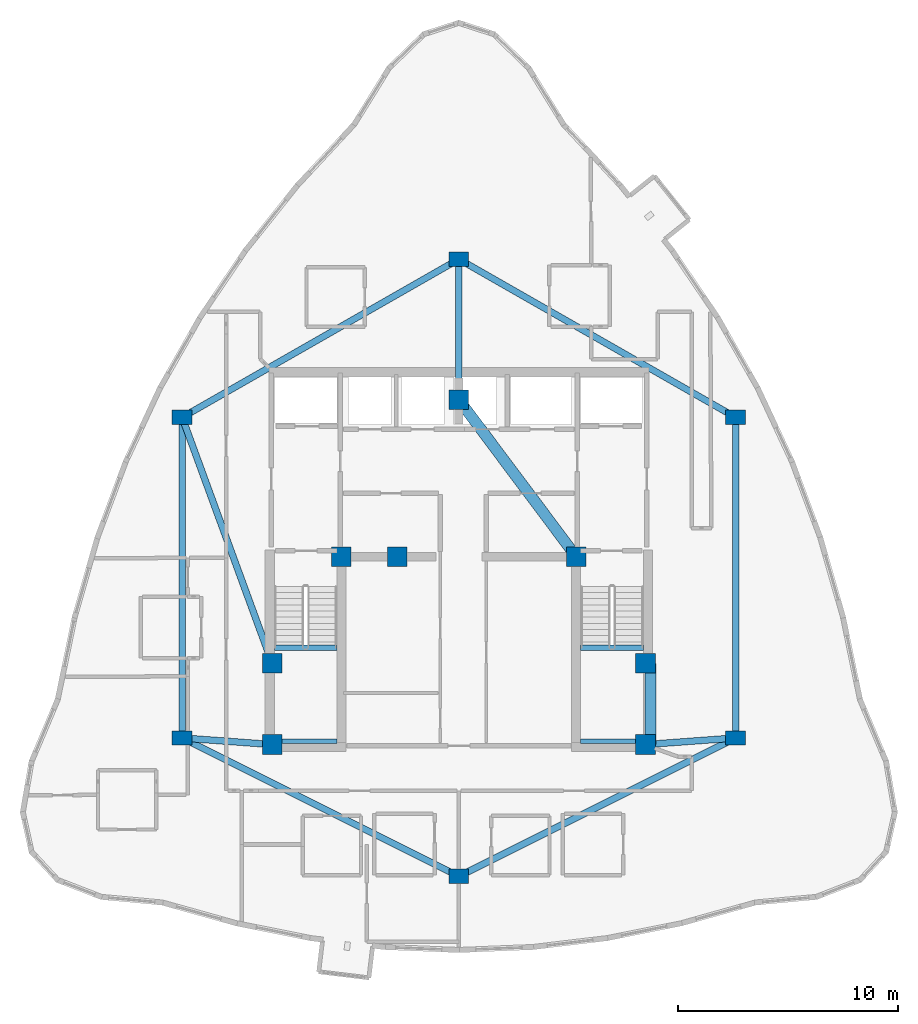
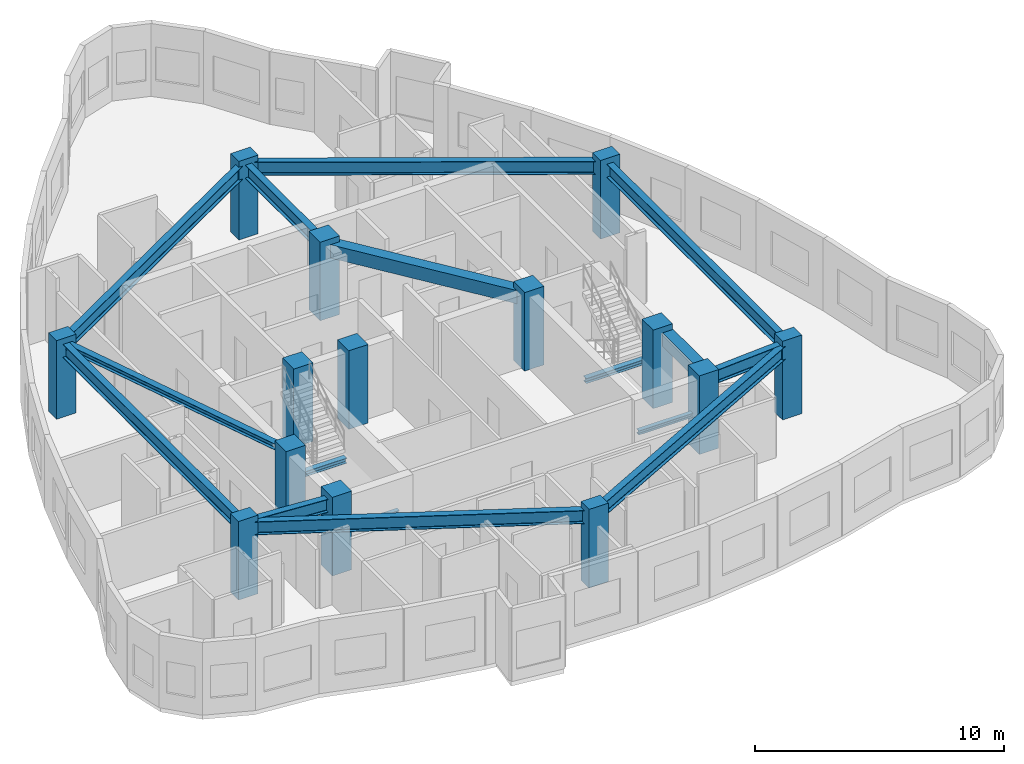
# One storey, part 1 of 13: 16 beams, 14 columns.
"""IFC4 building model written with IfcOpenShell, lengths in metres."""

import ifcopenshell
import ifcopenshell.guid

model = None  # the IFC model being written
_history = None  # IfcOwnerHistory: only IFC2X3 demands one
_inside = {}  # id of a spatial element -> (the spatial element, [elements in it])
_under = {}  # id of a project, library or spatial element -> (it, [spatial elements below it])
_declared = {}  # id of a project -> (the project, [libraries it declares])
_typed = {}  # id of a type object -> (the type object, [elements of that type])
_made_of = {}  # id of a material, layer set ... -> (it, [elements and type objects made of it])


def new_model(schema):
    """Start an empty IFC model of exactly this schema.

    Asked for "IFC4X3", IfcOpenShell would pick the latest addendum, in which some entities
    have other attributes; the version numbers below select the first issue.
    IFC2X3 requires an IfcOwnerHistory on every rooted entity: one is made here for all.
    """
    global model, _history
    if schema == "IFC4X3":
        model = ifcopenshell.file(schema_version=(4, 3, 0, 0))
    else:
        model = ifcopenshell.file(schema=schema)
    _inside.clear()
    _under.clear()
    _declared.clear()
    _typed.clear()
    _made_of.clear()
    _history = None
    if model.schema == "IFC2X3":
        org = make("IfcOrganization", Name="unknown")
        user = make(
            "IfcPersonAndOrganization",
            ThePerson=make("IfcPerson", FamilyName="unknown"),
            TheOrganization=org,
        )
        app = make(
            "IfcApplication",
            ApplicationDeveloper=org,
            Version="unknown",
            ApplicationFullName="unknown",
            ApplicationIdentifier="unknown",
        )
        _history = make(
            "IfcOwnerHistory",
            OwningUser=user,
            OwningApplication=app,
            ChangeAction="ADDED",
            CreationDate=0,
        )
    return model


def make(cls, **values):
    """One entity of the class cls with the attributes given. An attribute that is None is left unset."""
    return model.create_entity(
        cls, **{name: value for name, value in values.items() if value is not None}
    )


def rooted(cls, **values):
    """An entity with a GlobalId (a new one), such as an element, a storey or a relation."""
    return make(cls, GlobalId=ifcopenshell.guid.new(), OwnerHistory=_history, **values)


def si_unit(unit_type, name, prefix=None):
    """IfcSIUnit, for example si_unit("LENGTHUNIT", "METRE", prefix="MILLI")."""
    return make("IfcSIUnit", UnitType=unit_type, Prefix=prefix, Name=name)


def assignment(units):
    """IfcUnitAssignment: the units of a project."""
    return None if units is None else make("IfcUnitAssignment", Units=units)


def point(xyz):
    """IfcCartesianPoint."""
    return None if xyz is None else make("IfcCartesianPoint", Coordinates=xyz)


def direction(xyz):
    """IfcDirection."""
    return None if xyz is None else make("IfcDirection", DirectionRatios=xyz)


def frame(location, z_axis=None, x_axis=None):
    """IfcAxis2Placement3D, a coordinate frame: its origin and axes. An axis left out is left unset."""
    return make(
        "IfcAxis2Placement3D",
        Location=point(location),
        Axis=direction(z_axis),
        RefDirection=direction(x_axis),
    )


def frame_2d(location, x_axis=None):
    """IfcAxis2Placement2D, a coordinate frame in the plane: its origin and x axis."""
    return make(
        "IfcAxis2Placement2D", Location=point(location), RefDirection=direction(x_axis)
    )


def origin():
    """The frame at (0, 0, 0) with its axes left unset."""
    return frame((0.0, 0.0, 0.0))


def origin_2d():
    """The frame at (0, 0) in the plane with its x axis left unset."""
    return frame_2d((0.0, 0.0))


def place(relative_to, where):
    """IfcLocalPlacement: puts the frame where relative to a parent placement (None: the world)."""
    return make(
        "IfcLocalPlacement", PlacementRelTo=relative_to, RelativePlacement=where
    )


def context(
    kind, dimensions, precision=None, world=None, true_north=None, identifier=None
):
    """IfcGeometricRepresentationContext, for example the 3D "Model" context."""
    return make(
        "IfcGeometricRepresentationContext",
        ContextIdentifier=identifier,
        ContextType=kind,
        CoordinateSpaceDimension=dimensions,
        Precision=precision,
        WorldCoordinateSystem=world,
        TrueNorth=true_north,
    )


def subcontext(parent, identifier, kind, view, scale=None):
    """IfcGeometricRepresentationSubContext, for example "Body" below "Model"."""
    return make(
        "IfcGeometricRepresentationSubContext",
        ContextIdentifier=identifier,
        ContextType=kind,
        ParentContext=parent,
        TargetScale=scale,
        TargetView=view,
    )


def project(units=None, contexts=None):
    """IfcProject with its units and contexts."""
    return rooted(
        "IfcProject",
        Name="project",
        RepresentationContexts=contexts,
        UnitsInContext=assignment(units),
    )


def spatial(cls, under=None, at=None, **own):
    """A site, building, storey or space (cls), placed at a placement, below another one or the project."""
    s = rooted(cls, ObjectPlacement=at, **own)
    if under is not None:
        _under.setdefault(under.id(), (under, []))[1].append(s)
    return s


def profile(cls, at=None, kind="AREA", **sizes):
    """A parametric profile (cls). Its sizes go by their IFC names, for example OverallWidth=200.0."""
    return make(cls, ProfileType=kind, Position=at, **sizes)


def rectangle(**sizes):
    """IfcRectangleProfileDef."""
    return profile("IfcRectangleProfileDef", **sizes)


def i_section(**sizes):
    """IfcIShapeProfileDef."""
    return profile("IfcIShapeProfileDef", **sizes)


def extrude(swept, where, along, depth):
    """IfcExtrudedAreaSolid: the profile swept, set in the frame where, extruded along a direction by depth."""
    return make(
        "IfcExtrudedAreaSolid",
        SweptArea=swept,
        Position=where,
        ExtrudedDirection=direction(along),
        Depth=depth,
    )


def shape(context_of_items, identifier, shape_type, items):
    """IfcShapeRepresentation: the items that make up one representation, for example the "Body"."""
    return make(
        "IfcShapeRepresentation",
        ContextOfItems=context_of_items,
        RepresentationIdentifier=identifier,
        RepresentationType=shape_type,
        Items=items,
    )


def material(Name=None, Category=None):
    """IfcMaterial."""
    return make("IfcMaterial", Name=Name, Category=Category)


def material_profile(
    of_material, cross_section, Name=None, Category=None, Priority=None
):
    """IfcMaterialProfile: a cross section and its material."""
    return make(
        "IfcMaterialProfile",
        Name=Name,
        Material=of_material,
        Profile=cross_section,
        Priority=Priority,
        Category=Category,
    )


def profile_set(profiles, Name=None, composite=None):
    """IfcMaterialProfileSet."""
    return make(
        "IfcMaterialProfileSet",
        Name=Name,
        MaterialProfiles=profiles,
        CompositeProfile=composite,
    )


def made_of(thing, what):
    """Note that an element or type object is made of a material, layer set ...; save() writes the relation."""
    if what is not None:
        _made_of.setdefault(what.id(), (what, []))[1].append(thing)
    return thing


def type_object(cls, material=None, **own):
    """A type object (cls), such as IfcWallType, which elements share."""
    return made_of(rooted(cls, **own), material)


def element(
    cls,
    number,
    at=None,
    inside=None,
    cuts=None,
    type_object=None,
    material=None,
    context=None,
    identifier="Body",
    shape_type=None,
    held_by="IfcProductDefinitionShape",
    body=None,
    shapes=None,
    **own,
):
    """One element of the class cls, such as IfcWall. Its Tag is "e" and its number.

    at: its placement. inside: the storey or other place that contains it. cuts: it is an
    opening in that element (IfcRelVoidsElement). A single representation is given by context,
    identifier, shape_type and body (its items); several are given by shapes. held_by: the class
    of the entity that holds the representations. save() writes the other relations.
    """
    e = rooted(cls, Tag="e%d" % number, ObjectPlacement=at, **own)
    if body is not None:
        shapes = [shape(context, identifier, shape_type, body)]
    if shapes is not None:
        e.Representation = make(held_by, Representations=shapes)
    if inside is not None:
        _inside.setdefault(inside.id(), (inside, []))[1].append(e)
    if cuts is not None:
        rooted(
            "IfcRelVoidsElement", RelatingBuildingElement=cuts, RelatedOpeningElement=e
        )
    if type_object is not None:
        _typed.setdefault(type_object.id(), (type_object, []))[1].append(e)
    return made_of(e, material)


def aggregate(whole, parts):
    """IfcRelAggregates: a whole, such as a stair, and the parts it consists of."""
    return rooted("IfcRelAggregates", RelatingObject=whole, RelatedObjects=parts)


def save(model, path):
    """Write the relations noted so far, then the file.

    IfcRelAggregates (storeys below a building ...), IfcRelContainedInSpatialStructure (elements
    in a storey), IfcRelDefinesByType, IfcRelAssociatesMaterial and IfcRelDeclares: one each for
    every whole, place, type object, material and project.
    """
    for whole, parts in _under.values():
        aggregate(whole, parts)
    for where, things in _inside.values():
        rooted(
            "IfcRelContainedInSpatialStructure",
            RelatedElements=things,
            RelatingStructure=where,
        )
    for kind, things in _typed.values():
        rooted("IfcRelDefinesByType", RelatedObjects=things, RelatingType=kind)
    for what, things in _made_of.values():
        rooted("IfcRelAssociatesMaterial", RelatedObjects=things, RelatingMaterial=what)
    for by, libraries in _declared.values():
        rooted("IfcRelDeclares", RelatingContext=by, RelatedDefinitions=libraries)
    model.write(path)


model = new_model("IFC4")

# Units and contexts
model_context = context("Model", 3, precision=1e-05, world=origin(), true_north=direction((0.0, 1.0)))
body_context = subcontext(model_context, "Body", "Model", "MODEL_VIEW")
ifc_project = project(units=[si_unit("LENGTHUNIT", "METRE"), si_unit("AREAUNIT", "SQUARE_METRE"), si_unit("VOLUMEUNIT", "CUBIC_METRE"), si_unit("PLANEANGLEUNIT", "RADIAN"), si_unit("MASSUNIT", "GRAM", prefix="KILO")], contexts=[model_context])

# Site, building, storey
site_placement = place(None, origin())
site = spatial("IfcSite", under=ifc_project, at=site_placement, CompositionType="ELEMENT")
building_placement = place(site_placement, origin())
building = spatial("IfcBuilding", under=site, at=building_placement, Name="Miruveldt Soraemaru", CompositionType="ELEMENT")
storey_placement = place(building_placement, frame((0.0, 0.0, 255.85009765625)))
storey = spatial("IfcBuildingStorey", under=building, at=storey_placement, Name="L70", CompositionType="ELEMENT", Elevation=255.85009765625)

# Columns
ifc_material_1 = material(Name="Concrete C50/60 (50 MPa)", Category="concrete")
ifc_material_profile_1 = material_profile(ifc_material_1, rectangle(XDim=0.89990234375, YDim=0.89990234375, at=origin_2d()), Name="Concrete C50/60 (50 MPa)", Category="concrete")
ifc_profile_set_1 = profile_set([ifc_material_profile_1], Name="Concrete C50/60 (50 MPa)")
column_type_1 = type_object("IfcColumnType", Name="COL-CORE-900", PredefinedType="COLUMN", material=ifc_profile_set_1)
for number, where, z_axis, x_axis, name in (
    (1, (35.5, 35.5, 0.0), (0.0, 0.0, 1.0), (1.0, 0.0, 0.0), "L70 Structural Column CC1"),
    (2, (38.64990234375, 44.050048828125, 0.0), (0.0, 0.0, 1.0), (1.0, 0.0, 0.0), "L70 Structural Column CC2"),
    (3, (52.5, 35.5, 0.0), (0.0, 0.0, 1.0), (1.0, 0.0, 0.0), "L70 Structural Column CC3"),
    (4, (52.5, 39.199951171875, 0.0), (0.0, 0.0, 1.0), (1.0, 0.0, 0.0), "L70 Structural Column CC4"),
    (5, (49.35009765625, 44.050048828125, 0.0), (0.0, 0.0, 1.0), (1.0, 0.0, 0.0), "L70 Structural Column CC5"),
    (6, (44.0, 51.199951171875, 0.0), (0.0, 0.0, 1.0), (1.0, 0.0, 0.0), "L70 Structural Column CC6"),
    (7, (35.5, 39.199951171875, 0.0), (0.0, 0.0, 1.0), (1.0, 0.0, 0.0), "L70 Structural Column CC7"),
    (8, (41.199951171875, 44.050048828125, 0.0), (0.0, 0.0, 1.0), (1.0, 0.0, 0.0), "L70 Structural Column CC8"),
):
    element("IfcColumn", number, at=place(storey_placement, frame(where, z_axis=z_axis, x_axis=x_axis)), inside=storey, type_object=column_type_1, Name=name, PredefinedType="COLUMN", context=body_context, shape_type="SweptSolid", body=[
        extrude(rectangle(XDim=0.89990234375, YDim=0.89990234375, at=origin_2d()), origin(), (0.0, 0.0, 1.0), 3.849853515625),
    ])
ifc_material_profile_2 = material_profile(ifc_material_1, rectangle(XDim=0.89990234375, YDim=0.64990234375, at=origin_2d()), Name="Concrete C50/60 (50 MPa)", Category="concrete")
ifc_profile_set_2 = profile_set([ifc_material_profile_2], Name="Concrete C50/60 (50 MPa)")
column_type_2 = type_object("IfcColumnType", Name="COL-TW-Z4", PredefinedType="COLUMN", material=ifc_profile_set_2)
for number, where, z_axis, x_axis, name in (
    (9, (44.0, 57.60009765625, 0.0), (0.0, 0.0, 1.0), (1.0, 0.0, 0.0), "L70 Structural Column IR01"),
    (10, (56.60009765625, 50.39990234375, 0.0), (0.0, 0.0, 1.0), (1.0, 0.0, 0.0), "L70 Structural Column IR02"),
    (11, (56.60009765625, 35.800048828125, 0.0), (0.0, 0.0, 1.0), (1.0, 0.0, 0.0), "L70 Structural Column IR03"),
    (12, (44.0, 29.5, 0.0), (0.0, 0.0, 1.0), (1.0, 0.0, 0.0), "L70 Structural Column IR04"),
    (13, (31.39990234375, 35.800048828125, 0.0), (0.0, 0.0, 1.0), (1.0, 0.0, 0.0), "L70 Structural Column IR05"),
    (14, (31.39990234375, 50.39990234375, 0.0), (0.0, 0.0, 1.0), (1.0, 0.0, 0.0), "L70 Structural Column IR06"),
):
    element("IfcColumn", number, at=place(storey_placement, frame(where, z_axis=z_axis, x_axis=x_axis)), inside=storey, type_object=column_type_2, Name=name, PredefinedType="COLUMN", context=body_context, shape_type="SweptSolid", body=[
        extrude(rectangle(XDim=0.89990234375, YDim=0.64990234375, at=origin_2d()), origin(), (0.0, 0.0, 1.0), 3.849853515625),
    ])

# Beams
ifc_material_2 = material(Name="Steel SM355 (355 MPa)", Category="steel")
ifc_material_profile_3 = material_profile(ifc_material_2, i_section(OverallWidth=0.300048828125, OverallDepth=0.300048828125, WebThickness=0.010009765625, FlangeThickness=0.014892578125, FilletRadius=0.01806640625, at=origin_2d()), Name="Steel SM355 (355 MPa)", Category="steel")
ifc_profile_set_3 = profile_set([ifc_material_profile_3], Name="Steel SM355 (355 MPa)")
beam_type_1 = type_object("IfcBeamType", Name="BM-LNT-H300", PredefinedType="LINTEL", material=ifc_profile_set_3)
beam_1_placement = place(storey_placement, frame((31.39990234375, 50.39990234375, 3.414794921875), z_axis=(0.343770424598, -0.939053723262, 0.0), x_axis=(0.939053723262, 0.343770424598, 0.0)))
element("IfcBeam", 15, at=beam_1_placement, inside=storey, type_object=beam_type_1, Name="L70 West Lobby Lintel", PredefinedType="LINTEL", context=body_context, shape_type="SweptSolid", body=[
    extrude(i_section(OverallWidth=0.300048828125, OverallDepth=0.300048828125, WebThickness=0.010009765625, FlangeThickness=0.014892578125, FilletRadius=0.01806640625, at=origin_2d()), origin(), (0.0, 0.0, 1.0), 11.9267578125),
])
ifc_material_profile_4 = material_profile(ifc_material_1, rectangle(XDim=0.5, YDim=0.64990234375, at=origin_2d()), Name="Concrete C50/60 (50 MPa)", Category="concrete")
ifc_profile_set_4 = profile_set([ifc_material_profile_4], Name="Concrete C50/60 (50 MPa)")
beam_type_2 = type_object("IfcBeamType", Name="BM-RC-500x650", PredefinedType="BEAM", material=ifc_profile_set_4)
beam_2_placement = place(storey_placement, frame((52.72998046875, 35.5, 3.239990234375), z_axis=(0.0, 1.0, 0.0), x_axis=(-1.0, 0.0, 0.0)))
element("IfcBeam", 16, at=beam_2_placement, inside=storey, type_object=beam_type_2, Name="L70 Core Tie Beam 3", PredefinedType="BEAM", context=body_context, shape_type="SweptSolid", body=[
    extrude(rectangle(XDim=0.5, YDim=0.64990234375, at=origin_2d()), origin(), (0.0, 0.0, 1.0), 3.699951171875),
])
beam_3_placement = place(storey_placement, frame((49.35009765625, 44.050048828125, 3.239990234375), z_axis=(-0.599116023999, 0.800662219533, 0.0), x_axis=(-0.800662219533, -0.599116023999, 0.0)))
element("IfcBeam", 17, at=beam_3_placement, inside=storey, type_object=beam_type_2, Name="L70 Core Tie Beam 5", PredefinedType="BEAM", context=body_context, shape_type="SweptSolid", body=[
    extrude(rectangle(XDim=0.5, YDim=0.64990234375, at=origin_2d()), origin(), (0.0, 0.0, 1.0), 8.929931640625),
])
ifc_material_profile_5 = material_profile(ifc_material_2, i_section(OverallWidth=0.300048828125, OverallDepth=0.64990234375, WebThickness=0.012939453125, FlangeThickness=0.02197265625, FilletRadius=0.02587890625, at=origin_2d()), Name="Steel SM355 (355 MPa)", Category="steel")
ifc_profile_set_5 = profile_set([ifc_material_profile_5], Name="Steel SM355 (355 MPa)")
beam_type_3 = type_object("IfcBeamType", Name="BM-ST-H650", PredefinedType="BEAM", material=ifc_profile_set_5)
beam_4_placement = place(storey_placement, frame((44.0, 57.60009765625, 3.239990234375), z_axis=(0.868239001029, -0.496146185203, 0.0), x_axis=(0.496146185203, 0.868239001029, 0.0)))
element("IfcBeam", 18, at=beam_4_placement, inside=storey, type_object=beam_type_3, Name="L70 Inner Ring Girder 1", PredefinedType="BEAM", context=body_context, shape_type="SweptSolid", body=[
    extrude(i_section(OverallWidth=0.300048828125, OverallDepth=0.64990234375, WebThickness=0.012939453125, FlangeThickness=0.02197265625, FilletRadius=0.02587890625, at=origin_2d()), origin(), (0.0, 0.0, 1.0), 14.51220703125),
])
beam_5_placement = place(storey_placement, frame((44.0, 51.199951171875, 3.239990234375), z_axis=(0.0, 1.0, 0.0), x_axis=(-1.0, 0.0, 0.0)))
element("IfcBeam", 19, at=beam_5_placement, inside=storey, type_object=beam_type_3, Name="L70 Core-to-Inner Radial Girder 1", PredefinedType="BEAM", context=body_context, shape_type="SweptSolid", body=[
    extrude(i_section(OverallWidth=0.300048828125, OverallDepth=0.64990234375, WebThickness=0.012939453125, FlangeThickness=0.02197265625, FilletRadius=0.02587890625, at=origin_2d()), origin(), (0.0, 0.0, 1.0), 6.400146484375),
])
beam_6_placement = place(storey_placement, frame((56.60009765625, 50.39990234375, 3.239990234375), z_axis=(0.0, -1.0, 0.0), x_axis=(1.0, 0.0, 0.0)))
element("IfcBeam", 20, at=beam_6_placement, inside=storey, type_object=beam_type_3, Name="L70 Inner Ring Girder 2", PredefinedType="BEAM", context=body_context, shape_type="SweptSolid", body=[
    extrude(i_section(OverallWidth=0.300048828125, OverallDepth=0.64990234375, WebThickness=0.012939453125, FlangeThickness=0.02197265625, FilletRadius=0.02587890625, at=origin_2d()), origin(), (0.0, 0.0, 1.0), 14.599853515625),
])
beam_7_placement = place(storey_placement, frame((56.60009765625, 35.800048828125, 3.239990234375), z_axis=(-0.894427191, -0.4472135955, 0.0), x_axis=(0.4472135955, -0.894427191, 0.0)))
element("IfcBeam", 21, at=beam_7_placement, inside=storey, type_object=beam_type_3, Name="L70 Inner Ring Girder 3", PredefinedType="BEAM", context=body_context, shape_type="SweptSolid", body=[
    extrude(i_section(OverallWidth=0.300048828125, OverallDepth=0.64990234375, WebThickness=0.012939453125, FlangeThickness=0.02197265625, FilletRadius=0.02587890625, at=origin_2d()), origin(), (0.0, 0.0, 1.0), 14.08740234375),
])
beam_8_placement = place(storey_placement, frame((52.5, 35.5, 3.239990234375), z_axis=(0.997332985605, 0.072985723431, 0.0), x_axis=(-0.072985723431, 0.997332985605, 0.0)))
element("IfcBeam", 22, at=beam_8_placement, inside=storey, type_object=beam_type_3, Name="L70 Core-to-Inner Radial Girder 3", PredefinedType="BEAM", context=body_context, shape_type="SweptSolid", body=[
    extrude(i_section(OverallWidth=0.300048828125, OverallDepth=0.64990234375, WebThickness=0.012939453125, FlangeThickness=0.02197265625, FilletRadius=0.02587890625, at=origin_2d()), origin(), (0.0, 0.0, 1.0), 4.111083984375),
])
beam_9_placement = place(storey_placement, frame((44.0, 29.5, 3.239990234375), z_axis=(-0.894427191, 0.4472135955, 0.0), x_axis=(-0.4472135955, -0.894427191, 0.0)))
element("IfcBeam", 23, at=beam_9_placement, inside=storey, type_object=beam_type_3, Name="L70 Inner Ring Girder 4", PredefinedType="BEAM", context=body_context, shape_type="SweptSolid", body=[
    extrude(i_section(OverallWidth=0.300048828125, OverallDepth=0.64990234375, WebThickness=0.012939453125, FlangeThickness=0.02197265625, FilletRadius=0.02587890625, at=origin_2d()), origin(), (0.0, 0.0, 1.0), 14.08740234375),
])
beam_10_placement = place(storey_placement, frame((31.39990234375, 35.800048828125, 3.239990234375), z_axis=(0.0, 1.0, 0.0), x_axis=(-1.0, 0.0, 0.0)))
element("IfcBeam", 24, at=beam_10_placement, inside=storey, type_object=beam_type_3, Name="L70 Inner Ring Girder 5", PredefinedType="BEAM", context=body_context, shape_type="SweptSolid", body=[
    extrude(i_section(OverallWidth=0.300048828125, OverallDepth=0.64990234375, WebThickness=0.012939453125, FlangeThickness=0.02197265625, FilletRadius=0.02587890625, at=origin_2d()), origin(), (0.0, 0.0, 1.0), 14.599853515625),
])
beam_11_placement = place(storey_placement, frame((35.5, 35.5, 3.239990234375), z_axis=(-0.997332985605, 0.072985723431, 0.0), x_axis=(-0.072985723431, -0.997332985605, 0.0)))
element("IfcBeam", 25, at=beam_11_placement, inside=storey, type_object=beam_type_3, Name="L70 Core-to-Inner Radial Girder 5", PredefinedType="BEAM", context=body_context, shape_type="SweptSolid", body=[
    extrude(i_section(OverallWidth=0.300048828125, OverallDepth=0.64990234375, WebThickness=0.012939453125, FlangeThickness=0.02197265625, FilletRadius=0.02587890625, at=origin_2d()), origin(), (0.0, 0.0, 1.0), 4.111083984375),
])
beam_12_placement = place(storey_placement, frame((31.39990234375, 50.39990234375, 3.239990234375), z_axis=(0.868239001029, 0.496146185203, 0.0), x_axis=(-0.496146185203, 0.868239001029, 0.0)))
element("IfcBeam", 26, at=beam_12_placement, inside=storey, type_object=beam_type_3, Name="L70 Inner Ring Girder 6", PredefinedType="BEAM", context=body_context, shape_type="SweptSolid", body=[
    extrude(i_section(OverallWidth=0.300048828125, OverallDepth=0.64990234375, WebThickness=0.012939453125, FlangeThickness=0.02197265625, FilletRadius=0.02587890625, at=origin_2d()), origin(), (0.0, 0.0, 1.0), 14.51220703125),
])
ifc_material_profile_6 = material_profile(ifc_material_2, i_section(OverallWidth=0.199951171875, OverallDepth=0.199951171875, WebThickness=0.008056640625, FlangeThickness=0.011962890625, FilletRadius=0.012939453125, at=origin_2d()), Name="Steel SM355 (355 MPa)", Category="steel")
ifc_profile_set_6 = profile_set([ifc_material_profile_6], Name="Steel SM355 (355 MPa)")
beam_type_4 = type_object("IfcBeamType", Name="BM-ST-LND200", PredefinedType="BEAM", material=ifc_profile_set_6)
for number, where, z_axis, x_axis, name in (
    (27, (35.60009765625, 35.64990234375, 1.625), (1.0, 0.0, 0.0), (0.0, 1.0, 0.0), "L70 ST1 Landing End Beam 1B"),
    (28, (49.550048828125, 35.64990234375, 1.625), (1.0, 0.0, 0.0), (0.0, 1.0, 0.0), "L70 ST2 Landing End Beam 1B"),
):
    element("IfcBeam", number, at=place(storey_placement, frame(where, z_axis=z_axis, x_axis=x_axis)), inside=storey, type_object=beam_type_4, Name=name, PredefinedType="BEAM", context=body_context, shape_type="SweptSolid", body=[
        extrude(i_section(OverallWidth=0.199951171875, OverallDepth=0.199951171875, WebThickness=0.008056640625, FlangeThickness=0.011962890625, FilletRadius=0.012939453125, at=origin_2d()), origin(), (0.0, 0.0, 1.0), 2.849853515625),
    ])
ifc_material_profile_7 = material_profile(ifc_material_2, i_section(OverallWidth=0.25, OverallDepth=0.25, WebThickness=0.009033203125, FlangeThickness=0.013916015625, FilletRadius=0.01611328125, at=origin_2d()), Name="Steel SM355 (355 MPa)", Category="steel")
ifc_profile_set_7 = profile_set([ifc_material_profile_7], Name="Steel SM355 (355 MPa)")
beam_type_5 = type_object("IfcBeamType", Name="BM-ST-LND250", PredefinedType="BEAM", material=ifc_profile_set_7)
for number, where, z_axis, x_axis, name in (
    (29, (35.60009765625, 39.89990234375, 1.599853515625), (1.0, 0.0, 0.0), (0.0, 1.0, 0.0), "L70 ST1 Landing Support Beam 1A"),
    (30, (49.550048828125, 39.89990234375, 1.599853515625), (1.0, 0.0, 0.0), (0.0, 1.0, 0.0), "L70 ST2 Landing Support Beam 1A"),
):
    element("IfcBeam", number, at=place(storey_placement, frame(where, z_axis=z_axis, x_axis=x_axis)), inside=storey, type_object=beam_type_5, Name=name, PredefinedType="BEAM", context=body_context, shape_type="SweptSolid", body=[
        extrude(i_section(OverallWidth=0.25, OverallDepth=0.25, WebThickness=0.009033203125, FlangeThickness=0.013916015625, FilletRadius=0.01611328125, at=origin_2d()), origin(), (0.0, 0.0, 1.0), 2.849853515625),
    ])

save(model, "model.ifc")
